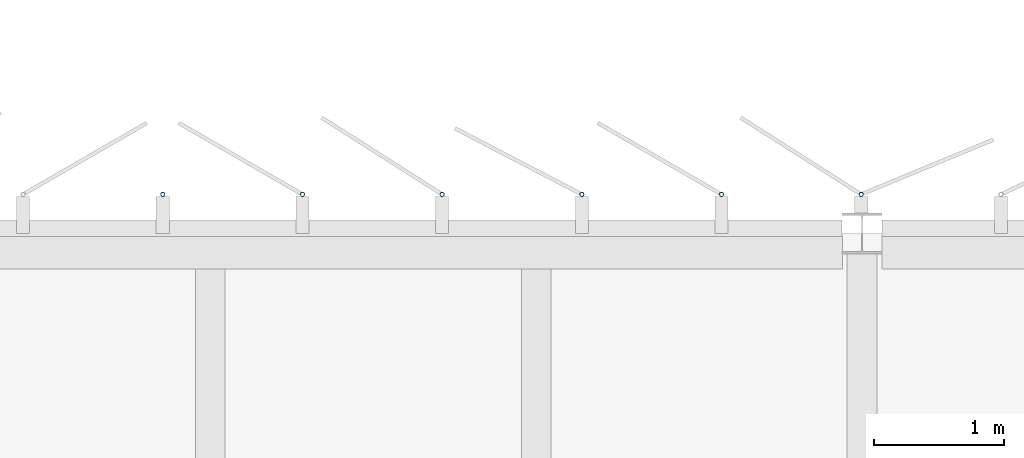
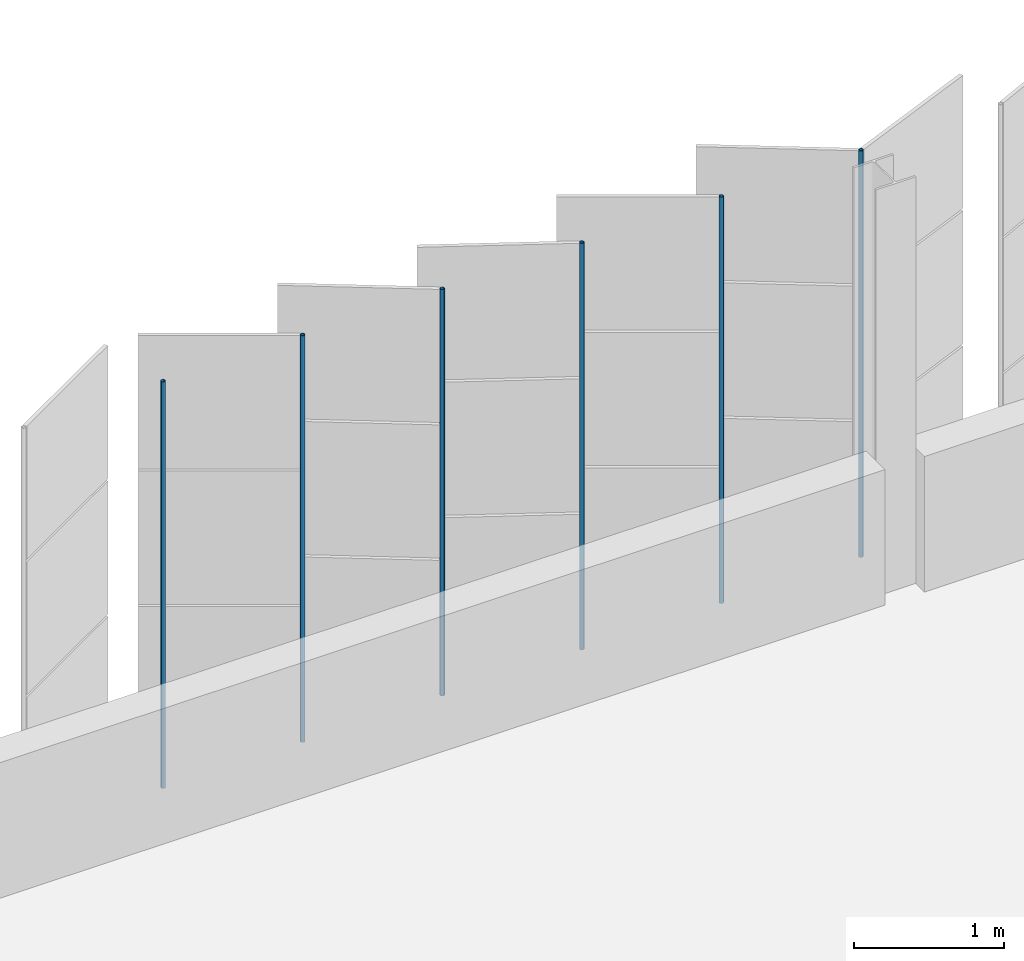
# One storey, part 158 of 214: 6 discrete accessories.
"""IFC4 building model written with IfcOpenShell, lengths in metres."""

from ifc_helpers import new_model, si_unit, direction, frame, origin, origin_2d, place, context, subcontext, project, spatial, hollow_circle, extrude, material, material_profile, profile_set, type_object, element, save


model = new_model("IFC4")

# Units and contexts
model_context = context("Model", 3, precision=1e-05, world=origin(), true_north=direction((0.0, 1.0)))
body_context = subcontext(model_context, "Body", "Model", "MODEL_VIEW")
ifc_project = project(units=[si_unit("LENGTHUNIT", "METRE"), si_unit("AREAUNIT", "SQUARE_METRE"), si_unit("VOLUMEUNIT", "CUBIC_METRE"), si_unit("PLANEANGLEUNIT", "RADIAN"), si_unit("MASSUNIT", "GRAM", prefix="KILO")], contexts=[model_context])

# Site, building, storey
site_placement = place(None, origin())
site = spatial("IfcSite", under=ifc_project, at=site_placement, CompositionType="ELEMENT")
building_placement = place(site_placement, origin())
building = spatial("IfcBuilding", under=site, at=building_placement, Name="Parallax Yard Mobility Hub", CompositionType="ELEMENT")
storey_placement = place(building_placement, frame((0.0, 0.0, 3.300048828125)))
storey = spatial("IfcBuildingStorey", under=building, at=storey_placement, Name="L01", CompositionType="ELEMENT", Elevation=3.300048828125)

# Discrete accessories
ifc_material = material(Name="Steel ASTM A500 Gr C, hot-dip galvanised", Category="steel")
ifc_material_profile = material_profile(ifc_material, hollow_circle(Radius=0.016845703125, WallThickness=0.003173828125, at=origin_2d()), Name="CHS 33.7x3.2")
ifc_profile_set = profile_set([ifc_material_profile], Name="Steel ASTM A500 Gr C, hot-dip galvanised")
discrete_accessory_type = type_object("IfcDiscreteAccessoryType", Name="Hinge post CHS 33.7x3.2", PredefinedType="BRACKET", material=ifc_profile_set)
for number, where, z_axis, x_axis, name in (
    (1, (104.993896484375, 142.800048828125, 0.0), (0.0, 0.0, 1.0), (1.0, 0.0, 0.0), "Hinge post bay 60.1 level L01"),
    (2, (103.92236328125, 142.800048828125, 0.0), (0.0, 0.0, 1.0), (1.0, 0.0, 0.0), "Hinge post bay 60.2 level L01"),
    (3, (102.850830078125, 142.800048828125, 0.0), (0.0, 0.0, 1.0), (1.0, 0.0, 0.0), "Hinge post bay 60.3 level L01"),
    (4, (101.779296875, 142.800048828125, 0.0), (0.0, 0.0, 1.0), (1.0, 0.0, 0.0), "Hinge post bay 60.4 level L01"),
    (5, (100.707763671875, 142.800048828125, 0.0), (0.0, 0.0, 1.0), (1.0, 0.0, 0.0), "Hinge post bay 60.5 level L01"),
    (6, (99.635986328125, 142.800048828125, 0.0), (0.0, 0.0, 1.0), (1.0, 0.0, 0.0), "Hinge post bay 60.6 level L01"),
):
    element("IfcDiscreteAccessory", number, at=place(storey_placement, frame(where, z_axis=z_axis, x_axis=x_axis)), inside=storey, type_object=discrete_accessory_type, Name=name, PredefinedType="BRACKET", context=body_context, shape_type="SweptSolid", body=[
        extrude(hollow_circle(Radius=0.016845703125, WallThickness=0.003173828125, at=origin_2d()), origin(), (0.0, 0.0, 1.0), 3.300048828125),
    ])

save(model, "model.ifc")
